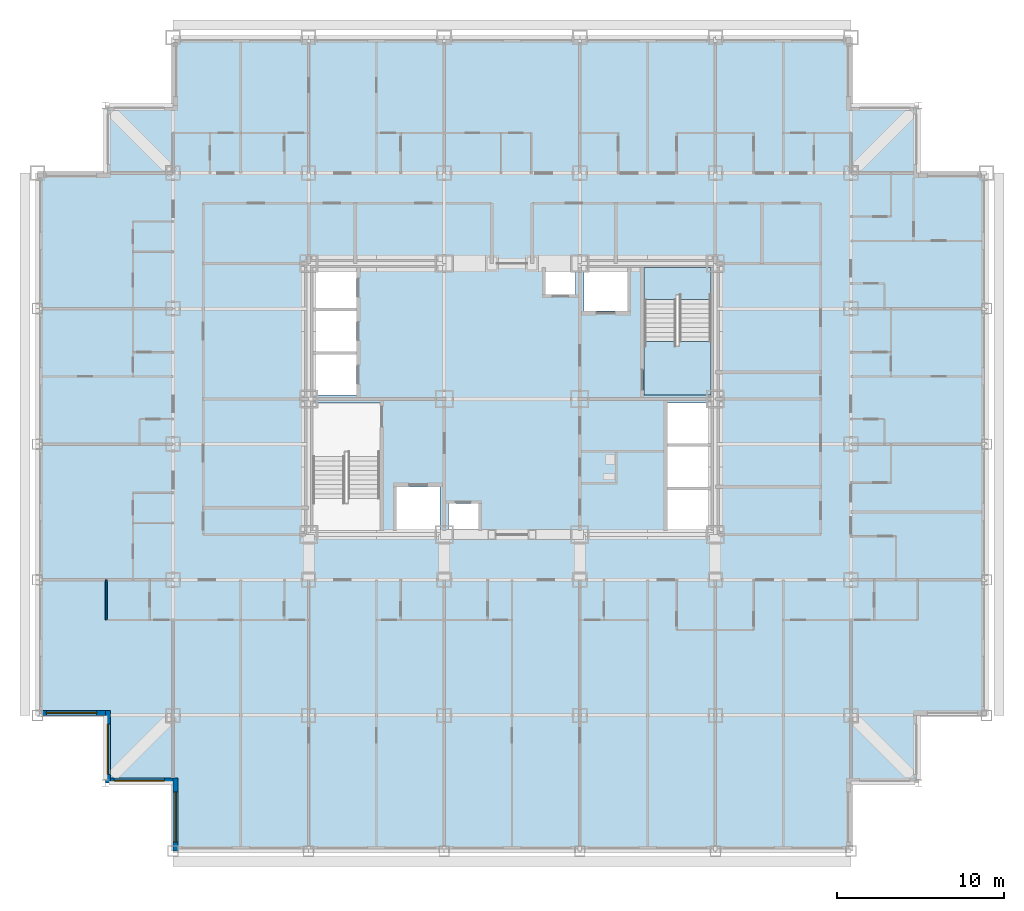
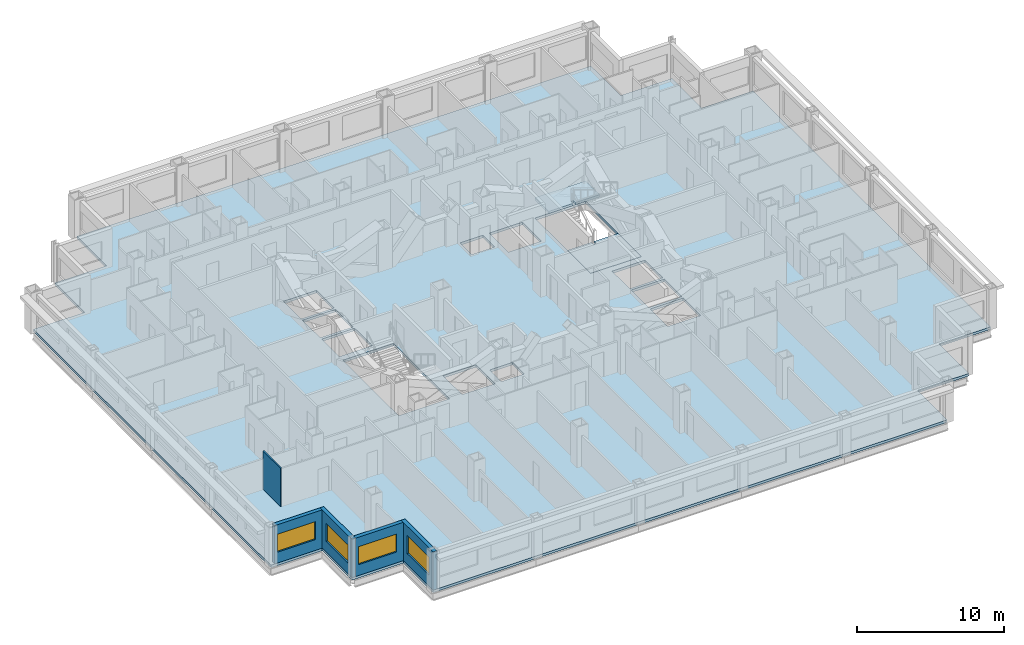
# One storey, part 3 of 14: 5 walls, 4 windows, 3 slabs, 4 openings, 1 element without a shape of its own.
"""IFC4 building model written with IfcOpenShell, lengths in metres."""

from ifc_helpers import new_model, si_unit, direction, frame, frame_2d, origin, place, context, subcontext, project, spatial, polyline, rectangle, outline, extrude, material, layer, layer_set, type_object, element, fill, aggregate, save


model = new_model("IFC4")

# Units and contexts
model_context = context("Model", 3, precision=1e-05, world=origin(), true_north=direction((0.0, 1.0)))
body_context = subcontext(model_context, "Body", "Model", "MODEL_VIEW")
ifc_project = project(units=[si_unit("LENGTHUNIT", "METRE"), si_unit("AREAUNIT", "SQUARE_METRE"), si_unit("VOLUMEUNIT", "CUBIC_METRE"), si_unit("PLANEANGLEUNIT", "RADIAN"), si_unit("MASSUNIT", "GRAM", prefix="KILO")], contexts=[model_context])

# Site, building, storey
site_placement = place(None, origin())
site = spatial("IfcSite", under=ifc_project, at=site_placement, CompositionType="ELEMENT")
building_placement = place(site_placement, origin())
building = spatial("IfcBuilding", under=site, at=building_placement, Name="Kopane Lantern Tower", CompositionType="ELEMENT")
storey_placement = place(building_placement, frame((0.0, 0.0, 123.800048828125)))
storey = spatial("IfcBuildingStorey", under=building, at=storey_placement, Name="L31", CompositionType="ELEMENT", Elevation=123.800048828125)

# Slab
ifc_material_1 = material(Name="Concrete C40/50", Category="concrete")
ifc_layer_1 = layer(ifc_material_1, 0.2099609375)
ifc_layer_set_1 = layer_set([ifc_layer_1], Name="SLAB 210 COMPOSITE")
slab_type_1 = type_object("IfcSlabType", Name="SLAB 210 COMPOSITE", PredefinedType="FLOOR", material=ifc_layer_set_1)
slab_1_placement = place(storey_placement, frame((0.0, 0.0, -0.2099609375)))
element("IfcSlab", 1, at=slab_1_placement, inside=storey, type_object=slab_type_1, Name="Floor slab L31", PredefinedType="FLOOR", context=body_context, shape_type="SweptSolid", body=[
    extrude(outline(polyline([(8.10009765625, 5.39990234375), (48.60009765625, 5.39990234375), (48.60009765625, 9.449951171875), (52.64990234375, 9.449951171875), (52.64990234375, 13.5), (56.699951171875, 13.5), (56.699951171875, 45.89990234375), (52.64990234375, 45.89990234375), (52.64990234375, 49.949951171875), (48.60009765625, 49.949951171875), (48.60009765625, 54.0), (8.10009765625, 54.0), (8.10009765625, 49.949951171875), (4.050048828125, 49.949951171875), (4.050048828125, 45.89990234375), (0.0, 45.89990234375), (0.0, 13.5), (4.050048828125, 13.5), (4.050048828125, 9.449951171875), (8.10009765625, 9.449951171875), (8.10009765625, 5.39990234375)]), holes=[polyline([(16.449951171875, 24.550048828125), (20.449951171875, 24.550048828125), (20.449951171875, 32.14990234375), (16.449951171875, 32.14990234375), (16.449951171875, 24.550048828125)]), polyline([(36.25, 32.64990234375), (40.25, 32.64990234375), (40.25, 40.25), (36.25, 40.25), (36.25, 32.64990234375)]), polyline([(16.449951171875, 32.64990234375), (19.050048828125, 32.64990234375), (19.050048828125, 35.050048828125), (16.449951171875, 35.050048828125), (16.449951171875, 32.64990234375)]), polyline([(16.449951171875, 35.25), (19.050048828125, 35.25), (19.050048828125, 37.64990234375), (16.449951171875, 37.64990234375), (16.449951171875, 35.25)]), polyline([(16.449951171875, 37.85009765625), (19.050048828125, 37.85009765625), (19.050048828125, 40.25), (16.449951171875, 40.25), (16.449951171875, 37.85009765625)]), polyline([(37.64990234375, 24.550048828125), (40.25, 24.550048828125), (40.25, 26.949951171875), (37.64990234375, 26.949951171875), (37.64990234375, 24.550048828125)]), polyline([(37.64990234375, 27.14990234375), (40.25, 27.14990234375), (40.25, 29.550048828125), (37.64990234375, 29.550048828125), (37.64990234375, 27.14990234375)]), polyline([(37.64990234375, 29.75), (40.25, 29.75), (40.25, 32.14990234375), (37.64990234375, 32.14990234375), (37.64990234375, 29.75)]), polyline([(21.449951171875, 24.550048828125), (24.050048828125, 24.550048828125), (24.050048828125, 27.14990234375), (21.449951171875, 27.14990234375), (21.449951171875, 24.550048828125)]), polyline([(32.64990234375, 37.64990234375), (35.25, 37.64990234375), (35.25, 40.25), (32.64990234375, 40.25), (32.64990234375, 37.64990234375)]), polyline([(24.550048828125, 24.550048828125), (26.35009765625, 24.550048828125), (26.35009765625, 26.14990234375), (24.550048828125, 26.14990234375), (24.550048828125, 24.550048828125)]), polyline([(30.35009765625, 38.64990234375), (32.14990234375, 38.64990234375), (32.14990234375, 40.25), (30.35009765625, 40.25), (30.35009765625, 38.64990234375)])]), origin(), (0.0, 0.0, 1.0), 0.2099609375),
])

# Stair, slabs
ifc_material_2 = material(Name="Steel S355JR", Category="steel")
stair_type = type_object("IfcStairType", Name="EXIT STAIR 1900 HALF TURN", PredefinedType="HALF_TURN_STAIR", material=ifc_material_2)
stair_placement = place(storey_placement, origin())
stair = element("IfcStair", 2, at=stair_placement, inside=storey, type_object=stair_type, Name="Exit stair ST2 L31", PredefinedType="HALF_TURN_STAIR")
ifc_material_3 = material(Name="Concrete C40/50", Category="concrete")
ifc_layer_2 = layer(ifc_material_3, 0.199951171875)
ifc_layer_set_2 = layer_set([ifc_layer_2], Name="STAIR LANDING 200")
slab_type_2 = type_object("IfcSlabType", Name="STAIR LANDING 200", PredefinedType="LANDING", material=ifc_layer_set_2)
slab_2_placement = place(storey_placement, frame((0.0, 0.0, -0.199951171875)))
slab_2 = element("IfcSlab", 3, at=slab_2_placement, type_object=slab_type_2, Name="ST2 landing 1", PredefinedType="LANDING", context=body_context, shape_type="SweptSolid", body=[
    extrude(outline(polyline([(40.25, 35.830078125), (38.35009765625, 35.830078125), (38.35009765625, 35.550048828125), (38.14990234375, 35.550048828125), (38.14990234375, 35.830078125), (36.25, 35.830078125), (36.25, 32.64990234375), (40.25, 32.64990234375), (40.25, 35.830078125)])), origin(), (0.0, 0.0, 1.0), 0.199951171875),
])
slab_3_placement = place(storey_placement, frame((0.0, 0.0, 1.5)))
slab_3 = element("IfcSlab", 4, at=slab_3_placement, type_object=slab_type_2, Name="ST2 landing 2", PredefinedType="LANDING", context=body_context, shape_type="SweptSolid", body=[
    extrude(outline(polyline([(38.14990234375, 38.6298828125), (38.35009765625, 38.6298828125), (38.35009765625, 38.35009765625), (40.25, 38.35009765625), (40.25, 40.25), (36.25, 40.25), (36.25, 38.35009765625), (38.14990234375, 38.35009765625), (38.14990234375, 38.6298828125)])), origin(), (0.0, 0.0, 1.0), 0.199951171875),
])
aggregate(stair, [slab_2, slab_3])

# Wall
ifc_material_4 = material(Name="Moisture-resistant board on steel studs", Category="steel")
ifc_layer_3 = layer(ifc_material_4, 0.10009765625)
ifc_layer_set_3 = layer_set([ifc_layer_3], Name="BATHROOM WALL 100")
wall_type_1 = type_object("IfcWallType", Name="BATHROOM WALL 100", PredefinedType="PARTITIONING", material=ifc_layer_set_3)
wall_1_placement = place(storey_placement, frame((4.10009765625, 21.60009765625, 0.0), z_axis=(0.0, 0.0, 1.0), x_axis=(0.0, -1.0, 0.0)))
element("IfcWall", 5, at=wall_1_placement, inside=storey, type_object=wall_type_1, Name="Bathroom Wall 100 L31", PredefinedType="PARTITIONING", context=body_context, shape_type="SweptSolid", body=[
    extrude(rectangle(XDim=2.400146484375, YDim=0.10009765625, at=frame_2d((1.2001953125, 0.0))), origin(), (0.0, 0.0, 1.0), 3.18994140625),
])

# Wall, opening, window
ifc_material_5 = material(Name="Terracotta rainscreen on light steel framing", Category="masonry")
ifc_layer_4 = layer(ifc_material_5, 0.300048828125)
ifc_layer_set_4 = layer_set([ifc_layer_4], Name="EXTERNAL WALL EW1 300 TERRACOTTA")
wall_type_2 = type_object("IfcWallType", Name="EXTERNAL WALL EW1 300 TERRACOTTA", PredefinedType="SOLIDWALL", material=ifc_layer_set_4)
wall_2_placement = place(storey_placement, frame((0.300048828125, 13.64990234375, 0.0), z_axis=(0.0, 0.0, 1.0), x_axis=(1.0, 0.0, 0.0)))
wall_2 = element("IfcWall", 6, at=wall_2_placement, inside=storey, type_object=wall_type_2, Name="External wall S L31", PredefinedType="SOLIDWALL", context=body_context, shape_type="SweptSolid", body=[
    extrude(rectangle(XDim=3.75, YDim=0.300048828125, at=frame_2d((1.875, 0.0))), origin(), (0.0, 0.0, 1.0), 3.18994140625),
])
opening_1_placement = place(wall_2_placement, frame((0.22509765625, 0.0, 0.89990234375)))
opening_1 = element("IfcOpeningElement", 7, at=opening_1_placement, cuts=wall_2, Name="Opening WR300150", PredefinedType="OPENING", context=body_context, shape_type="SweptSolid", body=[
    extrude(rectangle(XDim=3.0, YDim=1.5, at=frame_2d((1.5, 0.75))), frame((0.0, 0.159912109375, 0.0), z_axis=(0.0, -1.0, 0.0), x_axis=(1.0, 0.0, 0.0)), (0.0, 0.0, 1.0), 0.320068359375),
])
ifc_material_6 = material(Name="Aluminium and clear glass", Category="aluminium")
window_type = type_object("IfcWindowType", Name="RIBBON WINDOW WR300150 3000x1500", PartitioningType="SINGLE_PANEL", PredefinedType="WINDOW", material=ifc_material_6)
window_1_placement = place(opening_1_placement, origin())
window_1 = element("IfcWindow", 8, at=window_1_placement, inside=storey, type_object=window_type, Name="Window S L31", OverallHeight=1.5, OverallWidth=3.0, PartitioningType="SINGLE_PANEL", PredefinedType="WINDOW", context=body_context, shape_type="SweptSolid", body=[
    extrude(rectangle(XDim=3.0, YDim=1.5, at=frame_2d((1.5, 0.75))), frame((0.0, 0.030029296875, 0.0), z_axis=(0.0, -1.0, 0.0), x_axis=(1.0, 0.0, 0.0)), (0.0, 0.0, 1.0), 0.06005859375),
])
fill(opening_1, window_1)

wall_3_placement = place(storey_placement, frame((4.199951171875, 13.800048828125, 0.0), z_axis=(0.0, 0.0, 1.0), x_axis=(0.0, -1.0, 0.0)))
wall_3 = element("IfcWall", 9, at=wall_3_placement, inside=storey, type_object=wall_type_2, Name="External wall W L31", PredefinedType="SOLIDWALL", context=body_context, shape_type="SweptSolid", body=[
    extrude(rectangle(XDim=4.35009765625, YDim=0.300048828125, at=frame_2d((2.175048828125, 0.0))), origin(), (0.0, 0.0, 1.0), 3.18994140625),
])
opening_2_placement = place(wall_3_placement, frame((0.824951171875, 0.0, 0.89990234375)))
opening_2 = element("IfcOpeningElement", 10, at=opening_2_placement, cuts=wall_3, Name="Opening WR300150", PredefinedType="OPENING", context=body_context, shape_type="SweptSolid", body=[
    extrude(rectangle(XDim=3.0, YDim=1.5, at=frame_2d((1.5, 0.75))), frame((0.0, 0.159912109375, 0.0), z_axis=(0.0, -1.0, 0.0), x_axis=(1.0, 0.0, 0.0)), (0.0, 0.0, 1.0), 0.320068359375),
])
window_2_placement = place(opening_2_placement, origin())
window_2 = element("IfcWindow", 11, at=window_2_placement, inside=storey, type_object=window_type, Name="Window W L31", OverallHeight=1.5, OverallWidth=3.0, PartitioningType="SINGLE_PANEL", PredefinedType="WINDOW", context=body_context, shape_type="SweptSolid", body=[
    extrude(rectangle(XDim=3.0, YDim=1.5, at=frame_2d((1.5, 0.75))), frame((0.0, 0.030029296875, 0.0), z_axis=(0.0, -1.0, 0.0), x_axis=(1.0, 0.0, 0.0)), (0.0, 0.0, 1.0), 0.06005859375),
])
fill(opening_2, window_2)

wall_4_placement = place(storey_placement, frame((4.35009765625, 9.60009765625, 0.0), z_axis=(0.0, 0.0, 1.0), x_axis=(1.0, 0.0, 0.0)))
wall_4 = element("IfcWall", 12, at=wall_4_placement, inside=storey, type_object=wall_type_2, Name="External wall S L31", PredefinedType="SOLIDWALL", context=body_context, shape_type="SweptSolid", body=[
    extrude(rectangle(XDim=3.75, YDim=0.300048828125, at=frame_2d((1.875, 0.0))), origin(), (0.0, 0.0, 1.0), 3.18994140625),
])
opening_3_placement = place(wall_4_placement, frame((0.22509765625, 0.0, 0.89990234375)))
opening_3 = element("IfcOpeningElement", 13, at=opening_3_placement, cuts=wall_4, Name="Opening WR300150", PredefinedType="OPENING", context=body_context, shape_type="SweptSolid", body=[
    extrude(rectangle(XDim=3.0, YDim=1.5, at=frame_2d((1.5, 0.75))), frame((0.0, 0.159912109375, 0.0), z_axis=(0.0, -1.0, 0.0), x_axis=(1.0, 0.0, 0.0)), (0.0, 0.0, 1.0), 0.320068359375),
])
window_3_placement = place(opening_3_placement, origin())
window_3 = element("IfcWindow", 14, at=window_3_placement, inside=storey, type_object=window_type, Name="Window S L31", OverallHeight=1.5, OverallWidth=3.0, PartitioningType="SINGLE_PANEL", PredefinedType="WINDOW", context=body_context, shape_type="SweptSolid", body=[
    extrude(rectangle(XDim=3.0, YDim=1.5, at=frame_2d((1.5, 0.75))), frame((0.0, 0.030029296875, 0.0), z_axis=(0.0, -1.0, 0.0), x_axis=(1.0, 0.0, 0.0)), (0.0, 0.0, 1.0), 0.06005859375),
])
fill(opening_3, window_3)

wall_5_placement = place(storey_placement, frame((8.25, 9.75, 0.0), z_axis=(0.0, 0.0, 1.0), x_axis=(0.0, -1.0, 0.0)))
wall_5 = element("IfcWall", 15, at=wall_5_placement, inside=storey, type_object=wall_type_2, Name="External wall W L31", PredefinedType="SOLIDWALL", context=body_context, shape_type="SweptSolid", body=[
    extrude(rectangle(XDim=4.35009765625, YDim=0.300048828125, at=frame_2d((2.175048828125, 0.0))), origin(), (0.0, 0.0, 1.0), 3.18994140625),
])
opening_4_placement = place(wall_5_placement, frame((0.824951171875, 0.0, 0.89990234375)))
opening_4 = element("IfcOpeningElement", 16, at=opening_4_placement, cuts=wall_5, Name="Opening WR300150", PredefinedType="OPENING", context=body_context, shape_type="SweptSolid", body=[
    extrude(rectangle(XDim=3.0, YDim=1.5, at=frame_2d((1.5, 0.75))), frame((0.0, 0.159912109375, 0.0), z_axis=(0.0, -1.0, 0.0), x_axis=(1.0, 0.0, 0.0)), (0.0, 0.0, 1.0), 0.320068359375),
])
window_4_placement = place(opening_4_placement, origin())
window_4 = element("IfcWindow", 17, at=window_4_placement, inside=storey, type_object=window_type, Name="Window W L31", OverallHeight=1.5, OverallWidth=3.0, PartitioningType="SINGLE_PANEL", PredefinedType="WINDOW", context=body_context, shape_type="SweptSolid", body=[
    extrude(rectangle(XDim=3.0, YDim=1.5, at=frame_2d((1.5, 0.75))), frame((0.0, 0.030029296875, 0.0), z_axis=(0.0, -1.0, 0.0), x_axis=(1.0, 0.0, 0.0)), (0.0, 0.0, 1.0), 0.06005859375),
])
fill(opening_4, window_4)

save(model, "model.ifc")
